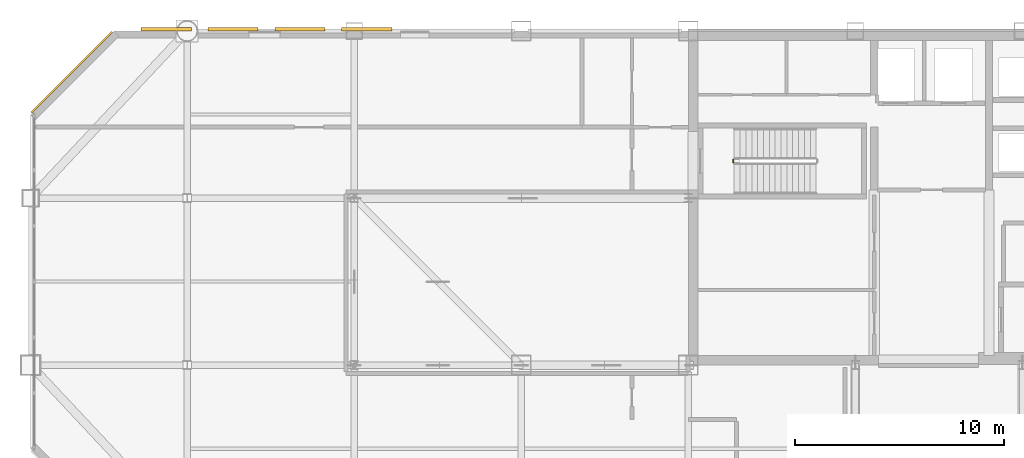
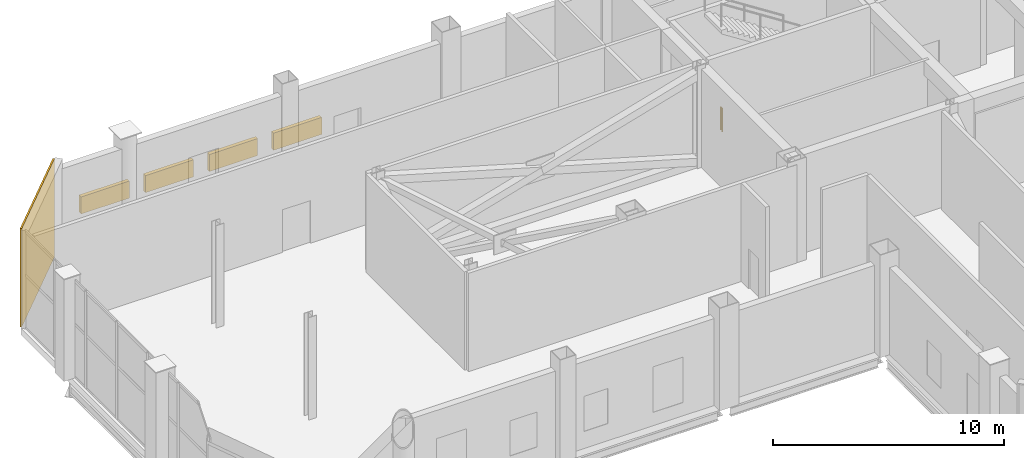
# One storey, part 22 of 23: 4 shading devices, 1 covering, 1 railing.
"""IFC4 building model written with IfcOpenShell, lengths in metres."""

from ifc_helpers import new_model, si_unit, direction, frame, origin, origin_2d, place, context, subcontext, project, spatial, rectangle, circle, extrude, material, layer, layer_set, type_object, element, save


model = new_model("IFC4")

# Units and contexts
model_context = context("Model", 3, precision=1e-05, world=origin(), true_north=direction((0.0, 1.0)))
body_context = subcontext(model_context, "Body", "Model", "MODEL_VIEW")
ifc_project = project(units=[si_unit("LENGTHUNIT", "METRE"), si_unit("AREAUNIT", "SQUARE_METRE"), si_unit("VOLUMEUNIT", "CUBIC_METRE"), si_unit("PLANEANGLEUNIT", "RADIAN"), si_unit("MASSUNIT", "GRAM", prefix="KILO")], contexts=[model_context])

# Site, building, storey
site_placement = place(None, origin())
site = spatial("IfcSite", under=ifc_project, at=site_placement, CompositionType="ELEMENT")
building_placement = place(site_placement, origin())
building = spatial("IfcBuilding", under=site, at=building_placement, Name="Qianrong Seaharbour Tower", CompositionType="ELEMENT")
storey_placement = place(building_placement, frame((0.0, 0.0, 281.800048828125)))
storey = spatial("IfcBuildingStorey", under=building, at=storey_placement, Name="L68", CompositionType="ELEMENT", Elevation=281.800048828125)

# Covering
ifc_material_1 = material(Name="Unitised red brick cladding on Precast concrete C45/55", Category="masonry")
ifc_layer = layer(ifc_material_1, 0.080078125)
ifc_layer_set = layer_set([ifc_layer], Name="Unitised red brick cladding on Precast concrete C45/55")
covering_type = type_object("IfcCoveringType", Name="COV-CLAD-RED-BRICK-80", PredefinedType="CLADDING", material=ifc_layer_set)
covering_placement = place(storey_placement, frame((10.9716796875, 50.0283203125, 0.0), z_axis=(0.0, 0.0, 1.0), x_axis=(0.707106781187, 0.707106781187, 0.0)))
element("IfcCovering", 1, at=covering_placement, inside=storey, type_object=covering_type, Name="L68 Chamfer Corner Brick Cladding 04", PredefinedType="CLADDING", context=body_context, shape_type="SweptSolid", body=[
    extrude(rectangle(XDim=5.456787109375, YDim=0.080078125, at=origin_2d()), origin(), (0.0, 0.0, 1.0), 5.18505859375),
])

# Railing
ifc_material_2 = material(Name="Galvanized painted steel SN400B stair guard", Category="steel")
railing_type = type_object("IfcRailingType", Name="RAIL-STAIR-GUARD-1220", PredefinedType="GUARDRAIL", material=ifc_material_2)
railing_placement = place(storey_placement, frame((42.64990234375, 45.699951171875, 0.0)))
element("IfcRailing", 2, at=railing_placement, inside=storey, type_object=railing_type, Name="L68 ST-1 stair guard 4", PredefinedType="GUARDRAIL", context=body_context, shape_type="SweptSolid", body=[
    extrude(circle(Radius=0.02392578125, at=origin_2d()), frame((0.0, 0.0, 1.19580078125), z_axis=(0.0, 1.0, 0.0), x_axis=(-1.0, 0.0, 0.0)), (0.0, 0.0, 1.0), 0.150146484375),
    extrude(circle(Radius=0.02099609375, at=origin_2d()), origin(), (0.0, 0.0, 1.0), 1.171875),
    extrude(circle(Radius=0.02099609375, at=origin_2d()), frame((0.0, 0.150146484375, 0.0)), (0.0, 0.0, 1.0), 1.171875),
])

# Shading devices
ifc_material_3 = material(Name="Anodised aluminium storm-proof louvre assembly", Category="aluminium")
shading_device_type = type_object("IfcShadingDeviceType", Name="SHD-LOUVRE-JALOUSIE-180", PredefinedType="JALOUSIE", material=ifc_material_3)
for number, where, z_axis, x_axis, name in (
    (3, (15.5, 52.0849609375, 1.75), (0.0, 0.0, 1.0), (1.0, 0.0, 0.0), "L68 Acoustic Storm Louvre Panel 1"),
    (4, (18.699951171875, 52.0849609375, 1.75), (0.0, 0.0, 1.0), (1.0, 0.0, 0.0), "L68 Acoustic Storm Louvre Panel 2"),
    (5, (21.89990234375, 52.0849609375, 1.75), (0.0, 0.0, 1.0), (1.0, 0.0, 0.0), "L68 Acoustic Storm Louvre Panel 3"),
    (6, (25.10009765625, 52.0849609375, 1.75), (0.0, 0.0, 1.0), (1.0, 0.0, 0.0), "L68 Acoustic Storm Louvre Panel 4"),
):
    element("IfcShadingDevice", number, at=place(storey_placement, frame(where, z_axis=z_axis, x_axis=x_axis)), inside=storey, type_object=shading_device_type, Name=name, PredefinedType="JALOUSIE", context=body_context, shape_type="SweptSolid", body=[
        extrude(rectangle(XDim=2.39990234375, YDim=0.179931640625, at=origin_2d()), origin(), (0.0, 0.0, 1.0), 0.89990234375),
    ])

save(model, "model.ifc")
